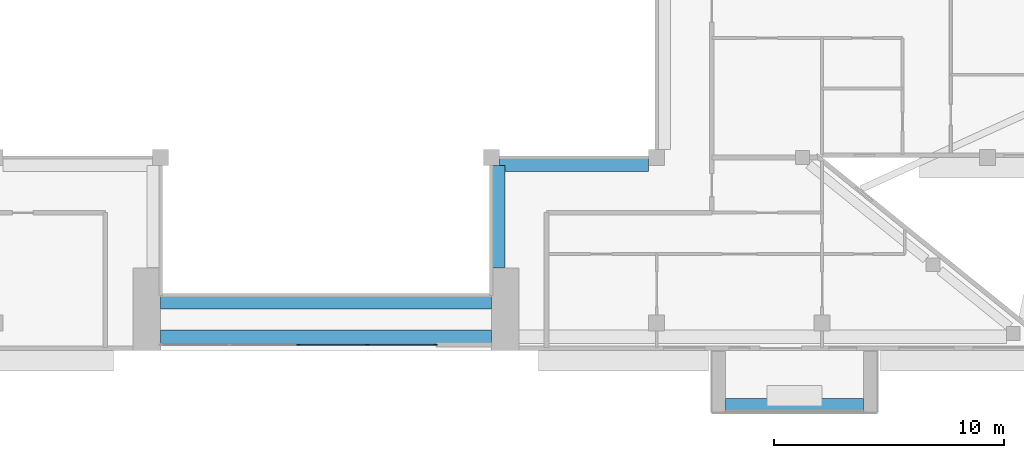
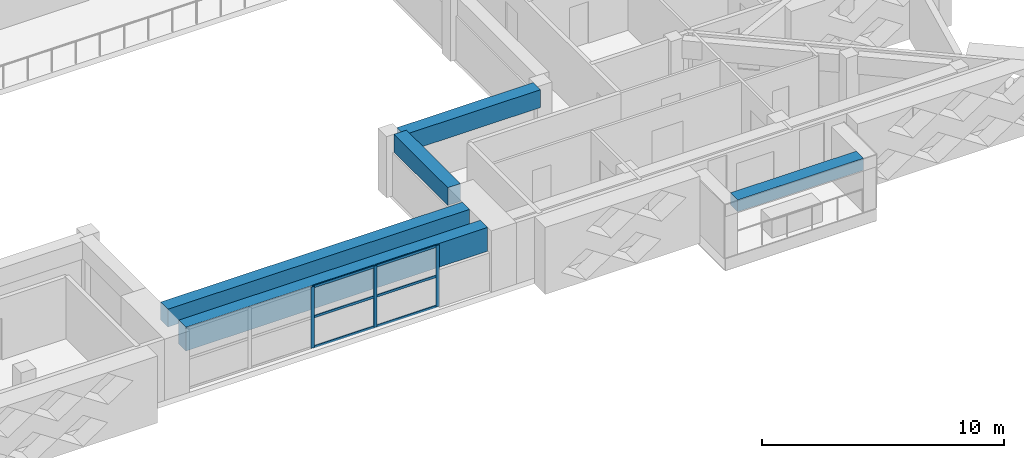
# One storey, part 4 of 19: 9 members, 5 beams, 1 element without a shape of its own.
"""IFC4 building model written with IfcOpenShell, lengths in metres."""

from ifc_helpers import new_model, si_unit, direction, frame, origin, origin_2d, place, context, subcontext, project, spatial, rectangle, extrude, source, transform, mapped, material, layer, layer_set, material_profile, profile_set, type_object, element, aggregate, save


model = new_model("IFC4")

# Units and contexts
model_context = context("Model", 3, precision=1e-05, world=origin(), true_north=direction((0.0, 1.0)))
body_context = subcontext(model_context, "Body", "Model", "MODEL_VIEW")
ifc_project = project(units=[si_unit("LENGTHUNIT", "METRE"), si_unit("AREAUNIT", "SQUARE_METRE"), si_unit("VOLUMEUNIT", "CUBIC_METRE"), si_unit("PLANEANGLEUNIT", "RADIAN"), si_unit("MASSUNIT", "GRAM", prefix="KILO")], contexts=[model_context])

# Site, building, storey
site_placement = place(None, origin())
site = spatial("IfcSite", under=ifc_project, at=site_placement, CompositionType="ELEMENT")
building_placement = place(site_placement, origin())
building = spatial("IfcBuilding", under=site, at=building_placement, Name="Saffron Iwan Residences", CompositionType="ELEMENT")
storey_placement = place(building_placement, frame((0.0, 0.0, 267.5)))
storey = spatial("IfcBuildingStorey", under=building, at=storey_placement, Name="L72", CompositionType="ELEMENT", Elevation=267.5)

# Beams
ifc_material_1 = material(Name="Concrete C40/50", Category="concrete")
ifc_material_profile_1 = material_profile(ifc_material_1, rectangle(XDim=0.60009765625, YDim=1.199951171875, at=origin_2d()), Name="RC 600x1200")
ifc_profile_set_1 = profile_set([ifc_material_profile_1], Name="Concrete C40/50")
beam_type_1 = type_object("IfcBeamType", Name="LINTEL BEAM RC 600x1200 C40/50 TOP 3099", PredefinedType="LINTEL", material=ifc_profile_set_1)
shared_shape_1 = source(origin(), body_context, "Body", "SweptSolid", [
    extrude(rectangle(XDim=0.60009765625, YDim=1.199951171875, at=origin_2d()), origin(), (0.0, 0.0, 1.0), 14.400146484375),
])
beam_1_placement = place(storey_placement, frame((57.60009765625, 40.199951171875, 2.4990234375), z_axis=(-1.0, 0.0, 0.0), x_axis=(0.0, -1.0, 0.0)))
element("IfcBeam", 1, at=beam_1_placement, inside=storey, type_object=beam_type_1, Name="Lintel beam over the iwan", PredefinedType="LINTEL", context=body_context, shape_type="MappedRepresentation", body=[
    mapped(shared_shape_1, transform((0.0, 0.0, 0.0))),
])
ifc_material_profile_2 = material_profile(ifc_material_1, rectangle(XDim=0.60009765625, YDim=0.89990234375, at=origin_2d()), Name="RC 600x900")
ifc_profile_set_2 = profile_set([ifc_material_profile_2], Name="Concrete C40/50")
beam_type_2 = type_object("IfcBeamType", Name="BEAM RC 600x900 C40/50 TOP 3099", PredefinedType="BEAM", material=ifc_profile_set_2)
shared_shape_2 = source(origin(), body_context, "Body", "SweptSolid", [
    extrude(rectangle(XDim=0.60009765625, YDim=0.89990234375, at=origin_2d()), origin(), (0.0, 0.0, 1.0), 14.400146484375),
])
beam_2_placement = place(storey_placement, frame((57.60009765625, 41.699951171875, 2.64892578125), z_axis=(-1.0, 0.0, 0.0), x_axis=(0.0, -1.0, 0.0)))
element("IfcBeam", 2, at=beam_2_placement, inside=storey, type_object=beam_type_2, Name="Atrium edge beam", PredefinedType="BEAM", context=body_context, shape_type="MappedRepresentation", body=[
    mapped(shared_shape_2, transform((0.0, 0.0, 0.0))),
])
shared_shape_3 = source(origin(), body_context, "Body", "SweptSolid", [
    extrude(rectangle(XDim=0.60009765625, YDim=0.89990234375, at=origin_2d()), origin(), (0.0, 0.0, 1.0), 4.449951171875),
])
beam_3_placement = place(storey_placement, frame((57.89990234375, 47.64990234375, 2.64892578125), z_axis=(0.0, -1.0, 0.0), x_axis=(1.0, 0.0, 0.0)))
element("IfcBeam", 3, at=beam_3_placement, inside=storey, type_object=beam_type_2, Name="Atrium edge beam", PredefinedType="BEAM", context=body_context, shape_type="MappedRepresentation", body=[
    mapped(shared_shape_3, transform((0.0, 0.0, 0.0))),
])
shared_shape_4 = source(origin(), body_context, "Body", "SweptSolid", [
    extrude(rectangle(XDim=0.60009765625, YDim=0.89990234375, at=origin_2d()), origin(), (0.0, 0.0, 1.0), 6.5),
])
beam_4_placement = place(storey_placement, frame((64.449951171875, 47.699951171875, 2.64892578125), z_axis=(-1.0, 0.0, 0.0), x_axis=(0.0, -1.0, 0.0)))
element("IfcBeam", 4, at=beam_4_placement, inside=storey, type_object=beam_type_2, Name="Atrium edge beam", PredefinedType="BEAM", context=body_context, shape_type="MappedRepresentation", body=[
    mapped(shared_shape_4, transform((0.0, 0.0, 0.0))),
])

# Curtain wall, members
ifc_material_2 = material(Name="Clear glass, laminated double glazed", Category="glass")
ifc_layer = layer(ifc_material_2, 0.199951171875)
ifc_layer_set = layer_set([ifc_layer], Name="Clear glass, laminated double glazed")
curtain_wall_type = type_object("IfcCurtainWallType", Name="CW-B IWAN PORTAL", PredefinedType="NOTDEFINED", material=ifc_layer_set)
curtain_wall_placement = place(storey_placement, origin())
curtain_wall = element("IfcCurtainWall", 5, at=curtain_wall_placement, inside=storey, type_object=curtain_wall_type, Name="Iwan portal glazing L72.1", PredefinedType="NOTDEFINED")
ifc_material_3 = material(Name="Aluminium 6063-T6", Category="aluminium")
ifc_material_profile_3 = material_profile(ifc_material_3, rectangle(XDim=0.06005859375, YDim=0.1201171875, at=origin_2d()), Name="CW-B TRANSOM 60 x 120")
ifc_profile_set_3 = profile_set([ifc_material_profile_3], Name="Aluminium 6063-T6")
member_type_1 = type_object("IfcMemberType", Name="CW-B TRANSOM 60 x 120", PredefinedType="USERDEFINED", material=ifc_profile_set_3)
shared_shape_5 = source(origin(), body_context, "Body", "SweptSolid", [
    extrude(rectangle(XDim=0.06005859375, YDim=0.1201171875, at=origin_2d()), origin(), (0.0, 0.0, 1.0), 2.909912109375),
])
member_1_placement = place(storey_placement, frame((52.22998046875, 39.85009765625, 0.030029296875), z_axis=(1.0, 0.0, 0.0), x_axis=(0.0, 1.0, 0.0)))
member_1 = element("IfcMember", 6, at=member_1_placement, type_object=member_type_1, Name="CW-B transom 4.1", ObjectType="TRANSOM", PredefinedType="USERDEFINED", context=body_context, shape_type="MappedRepresentation", body=[
    mapped(shared_shape_5, transform((0.0, 0.0, 0.0))),
])
member_2_placement = place(storey_placement, frame((52.22998046875, 39.85009765625, 1.549560546875), z_axis=(1.0, 0.0, 0.0), x_axis=(0.0, 1.0, 0.0)))
member_2 = element("IfcMember", 7, at=member_2_placement, type_object=member_type_1, Name="CW-B transom 4.2", ObjectType="TRANSOM", PredefinedType="USERDEFINED", context=body_context, shape_type="MappedRepresentation", body=[
    mapped(shared_shape_5, transform((0.0, 0.0, 0.0))),
])
member_3_placement = place(storey_placement, frame((52.22998046875, 39.85009765625, 3.069091796875), z_axis=(1.0, 0.0, 0.0), x_axis=(0.0, 1.0, 0.0)))
member_3 = element("IfcMember", 8, at=member_3_placement, type_object=member_type_1, Name="CW-B transom 4.3", ObjectType="TRANSOM", PredefinedType="USERDEFINED", context=body_context, shape_type="MappedRepresentation", body=[
    mapped(shared_shape_5, transform((0.0, 0.0, 0.0))),
])
shared_shape_6 = source(origin(), body_context, "Body", "SweptSolid", [
    extrude(rectangle(XDim=0.06005859375, YDim=0.1201171875, at=origin_2d()), origin(), (0.0, 0.0, 1.0), 2.93994140625),
])
member_4_placement = place(storey_placement, frame((49.22998046875, 39.85009765625, 0.030029296875), z_axis=(1.0, 0.0, 0.0), x_axis=(0.0, 1.0, 0.0)))
member_4 = element("IfcMember", 9, at=member_4_placement, type_object=member_type_1, Name="CW-B transom 3.1", ObjectType="TRANSOM", PredefinedType="USERDEFINED", context=body_context, shape_type="MappedRepresentation", body=[
    mapped(shared_shape_6, transform((0.0, 0.0, 0.0))),
])
member_5_placement = place(storey_placement, frame((49.22998046875, 39.85009765625, 1.549560546875), z_axis=(1.0, 0.0, 0.0), x_axis=(0.0, 1.0, 0.0)))
member_5 = element("IfcMember", 10, at=member_5_placement, type_object=member_type_1, Name="CW-B transom 3.2", ObjectType="TRANSOM", PredefinedType="USERDEFINED", context=body_context, shape_type="MappedRepresentation", body=[
    mapped(shared_shape_6, transform((0.0, 0.0, 0.0))),
])
member_6_placement = place(storey_placement, frame((49.22998046875, 39.85009765625, 3.069091796875), z_axis=(1.0, 0.0, 0.0), x_axis=(0.0, 1.0, 0.0)))
member_6 = element("IfcMember", 11, at=member_6_placement, type_object=member_type_1, Name="CW-B transom 3.3", ObjectType="TRANSOM", PredefinedType="USERDEFINED", context=body_context, shape_type="MappedRepresentation", body=[
    mapped(shared_shape_6, transform((0.0, 0.0, 0.0))),
])

# Beam
ifc_material_4 = material(Name="Concrete C50/60 white painted", Category="concrete")
ifc_material_profile_4 = material_profile(ifc_material_4, rectangle(XDim=0.60009765625, YDim=0.60009765625, at=origin_2d()), Name="BALCONY FASCIA BEAM 600 x 600")
ifc_profile_set_4 = profile_set([ifc_material_profile_4], Name="Concrete C50/60 white painted")
beam_type_3 = type_object("IfcBeamType", Name="BALCONY FASCIA BEAM 600 x 600", PredefinedType="BEAM", material=ifc_profile_set_4)
shared_shape_7 = source(origin(), body_context, "Body", "SweptSolid", [
    extrude(rectangle(XDim=0.60009765625, YDim=0.60009765625, at=origin_2d()), origin(), (0.0, 0.0, 1.0), 6.0),
])
beam_5_placement = place(storey_placement, frame((67.800048828125, 37.199951171875, 2.428955078125), z_axis=(1.0, 0.0, 0.0), x_axis=(0.0, 1.0, 0.0)))
element("IfcBeam", 12, at=beam_5_placement, inside=storey, type_object=beam_type_3, Name="Balcony fascia beam L72 11-1", PredefinedType="BEAM", context=body_context, shape_type="MappedRepresentation", body=[
    mapped(shared_shape_7, transform((0.0, 0.0, 0.0))),
])

# Member
ifc_material_profile_5 = material_profile(ifc_material_3, rectangle(XDim=0.06005859375, YDim=0.159912109375, at=origin_2d()), Name="CW-B MULLION 60 x 160")
ifc_profile_set_5 = profile_set([ifc_material_profile_5], Name="Aluminium 6063-T6")
member_type_2 = type_object("IfcMemberType", Name="CW-B MULLION 60 x 160", PredefinedType="MULLION", material=ifc_profile_set_5)
shared_shape_8 = source(origin(), body_context, "Body", "SweptSolid", [
    extrude(rectangle(XDim=0.06005859375, YDim=0.159912109375, at=origin_2d()), origin(), (0.0, 0.0, 1.0), 3.09912109375),
])
member_7_placement = place(storey_placement, frame((49.199951171875, 39.85009765625, 0.0), z_axis=(0.0, 0.0, 1.0), x_axis=(0.0, 1.0, 0.0)))
member_7 = element("IfcMember", 13, at=member_7_placement, type_object=member_type_2, Name="CW-B mullion 3", PredefinedType="MULLION", context=body_context, shape_type="MappedRepresentation", body=[
    mapped(shared_shape_8, transform((0.0, 0.0, 0.0))),
])

member_8_placement = place(storey_placement, frame((52.199951171875, 39.85009765625, 0.0), z_axis=(0.0, 0.0, 1.0), x_axis=(0.0, 1.0, 0.0)))
member_8 = element("IfcMember", 14, at=member_8_placement, type_object=member_type_2, Name="CW-B mullion 4", PredefinedType="MULLION", context=body_context, shape_type="MappedRepresentation", body=[
    mapped(shared_shape_8, transform((0.0, 0.0, 0.0))),
])

member_9_placement = place(storey_placement, frame((55.169921875, 39.85009765625, 0.0), z_axis=(0.0, 0.0, 1.0), x_axis=(0.0, 1.0, 0.0)))
member_9 = element("IfcMember", 15, at=member_9_placement, type_object=member_type_2, Name="CW-B mullion 5", PredefinedType="MULLION", context=body_context, shape_type="MappedRepresentation", body=[
    mapped(shared_shape_8, transform((0.0, 0.0, 0.0))),
])

aggregate(curtain_wall, [member_7, member_8, member_9, member_4, member_5, member_6, member_1, member_2, member_3])

save(model, "model.ifc")
